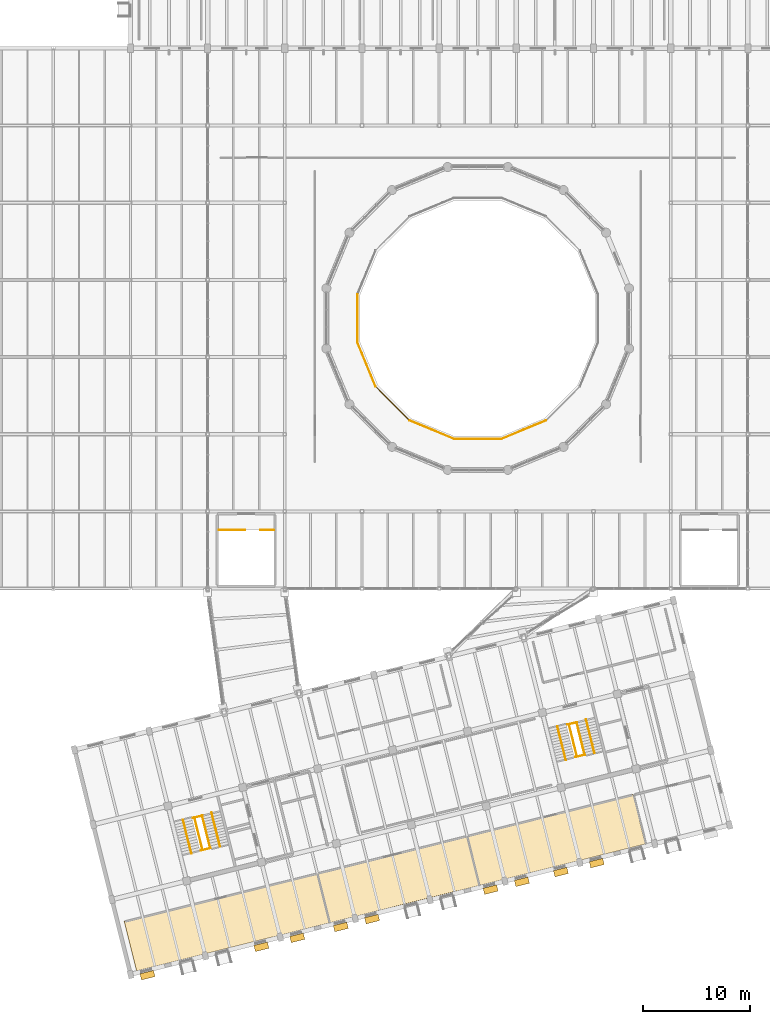
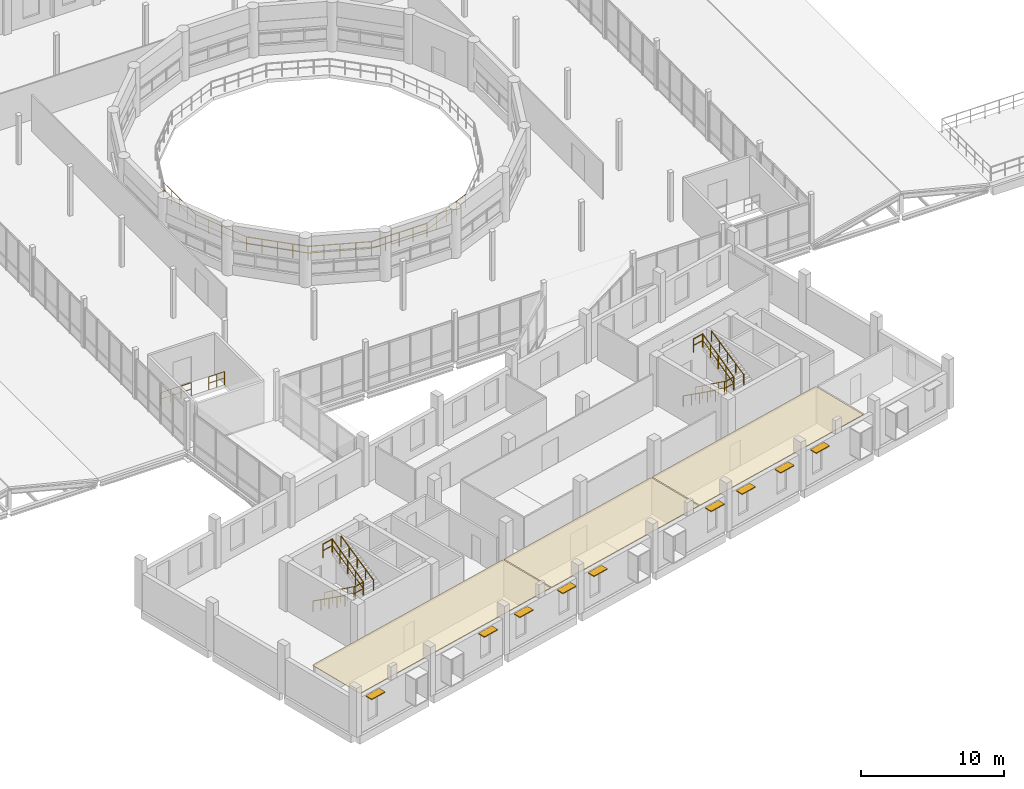
# One storey, part 59 of 63: 20 railings, 9 shading devices, 3 coverings.
"""IFC4 building model written with IfcOpenShell, lengths in metres."""

from ifc_helpers import new_model, si_unit, direction, frame, origin, origin_2d, place, context, subcontext, project, spatial, polyline, rectangle, circle, outline, extrude, material, layer, layer_set, material_profile, profile_set, type_object, element, save


model = new_model("IFC4")

# Units and contexts
model_context = context("Model", 3, precision=1e-05, world=origin(), true_north=direction((0.0, 1.0)))
body_context = subcontext(model_context, "Body", "Model", "MODEL_VIEW")
ifc_project = project(units=[si_unit("LENGTHUNIT", "METRE"), si_unit("AREAUNIT", "SQUARE_METRE"), si_unit("VOLUMEUNIT", "CUBIC_METRE"), si_unit("PLANEANGLEUNIT", "RADIAN"), si_unit("MASSUNIT", "GRAM", prefix="KILO")], contexts=[model_context])

# Site, building, storey
site_placement = place(None, origin())
site = spatial("IfcSite", under=ifc_project, at=site_placement, CompositionType="ELEMENT")
building_placement = place(site_placement, origin())
building = spatial("IfcBuilding", under=site, at=building_placement, Name="Qiaolan Assembly House", CompositionType="ELEMENT")
storey_placement = place(building_placement, frame((0.0, 0.0, 14.39990234375)))
storey = spatial("IfcBuildingStorey", under=building, at=storey_placement, Name="L03", CompositionType="ELEMENT", Elevation=14.39990234375)

# Coverings
ifc_material_1 = material(Name="Gypsum plasterboard acoustic ceiling")
ifc_layer = layer(ifc_material_1, 0.044921875)
ifc_layer_set = layer_set([ifc_layer], Name="Gypsum plasterboard acoustic ceiling")
covering_type = type_object("IfcCoveringType", Name="COV-CEIL-ACOUSTIC", PredefinedType="CEILING", material=ifc_layer_set)
covering_1_placement = place(storey_placement, frame((0.0, 0.0, 3.03515625)))
element("IfcCovering", 1, at=covering_1_placement, inside=storey, type_object=covering_type, Name="Suspended ceiling Social Welfare & Public Housing Department", PredefinedType="CEILING", context=body_context, shape_type="SweptSolid", body=[
    extrude(outline(polyline([(36.577392578125, 0.32958984375), (54.54736328125, 4.809814453125), (53.390869140625, 9.447998046875), (35.421142578125, 4.967529296875), (36.577392578125, 0.32958984375)])), origin(), (0.0, 0.0, 1.0), 0.044921875),
])
covering_2_placement = place(storey_placement, frame((0.0, 0.0, 3.03515625)))
element("IfcCovering", 2, at=covering_2_placement, inside=storey, type_object=covering_type, Name="Suspended ceiling Public Health Emergency Coordination Room", PredefinedType="CEILING", context=body_context, shape_type="SweptSolid", body=[
    extrude(outline(polyline([(54.625, 4.829345703125), (68.51953125, 8.29345703125), (67.36328125, 12.931640625), (53.468505859375, 9.46728515625), (54.625, 4.829345703125)])), origin(), (0.0, 0.0, 1.0), 0.044921875),
])
covering_3_placement = place(storey_placement, frame((0.0, 0.0, 3.03515625)))
element("IfcCovering", 3, at=covering_3_placement, inside=storey, type_object=covering_type, Name="Suspended ceiling Municipal Education & Youth Bureau", PredefinedType="CEILING", context=body_context, shape_type="SweptSolid", body=[
    extrude(outline(polyline([(68.59716796875, 8.31298828125), (84.044189453125, 12.164306640625), (82.887939453125, 16.80224609375), (67.44091796875, 12.950927734375), (68.59716796875, 8.31298828125)])), origin(), (0.0, 0.0, 1.0), 0.044921875),
])

# Railings
ifc_material_2 = material(Name="Anodised bronze aluminium", Category="aluminium")
railing_type_1 = type_object("IfcRailingType", Name="RAL-GUARD-GALLERY-1200", PredefinedType="BALUSTRADE", material=ifc_material_2)
railing_1_placement = place(storey_placement, frame((57.169921875, 63.433837890625, 0.0)))
element("IfcRailing", 4, at=railing_1_placement, inside=storey, type_object=railing_type_1, Name="GR-02 Council Chamber L03 Clerestory Ring Guard seg 8", PredefinedType="BALUSTRADE", context=body_context, shape_type="SweptSolid", body=[
    extrude(circle(Radius=0.02392578125, at=origin_2d()), frame((0.0, 0.0, 1.17578125), z_axis=(0.0, -1.0, 0.0), x_axis=(1.0, 0.0, 0.0)), (0.0, 0.0, 1.0), 4.467529296875),
    extrude(circle(Radius=0.01611328125, at=origin_2d()), frame((0.0, 0.0, 0.60009765625), z_axis=(0.0, -1.0, 0.0), x_axis=(1.0, 0.0, 0.0)), (0.0, 0.0, 1.0), 4.467529296875),
    extrude(circle(Radius=0.02099609375, at=origin_2d()), origin(), (0.0, 0.0, 1.0), 1.15185546875),
    extrude(circle(Radius=0.02099609375, at=origin_2d()), frame((0.0, -1.116943359375, 0.0)), (0.0, 0.0, 1.0), 1.15185546875),
    extrude(circle(Radius=0.02099609375, at=origin_2d()), frame((0.0, -2.23388671875, 0.0)), (0.0, 0.0, 1.0), 1.15185546875),
    extrude(circle(Radius=0.02099609375, at=origin_2d()), frame((0.0, -3.3505859375, 0.0)), (0.0, 0.0, 1.0), 1.15185546875),
    extrude(circle(Radius=0.02099609375, at=origin_2d()), frame((0.0, -4.467529296875, 0.0)), (0.0, 0.0, 1.0), 1.15185546875),
])
railing_2_placement = place(storey_placement, frame((57.169921875, 58.96630859375, 0.0)))
element("IfcRailing", 5, at=railing_2_placement, inside=storey, type_object=railing_type_1, Name="GR-02 Council Chamber L03 Clerestory Ring Guard seg 9", PredefinedType="BALUSTRADE", context=body_context, shape_type="SweptSolid", body=[
    extrude(circle(Radius=0.02392578125, at=origin_2d()), frame((0.0, 0.0, 1.17578125), z_axis=(0.38267836238, -0.923881632552, 0.0), x_axis=(0.923881632552, 0.38267836238, 0.0)), (0.0, 0.0, 1.0), 4.4677734375),
    extrude(circle(Radius=0.01611328125, at=origin_2d()), frame((0.0, 0.0, 0.60009765625), z_axis=(0.38267836238, -0.923881632552, 0.0), x_axis=(0.923881632552, 0.38267836238, 0.0)), (0.0, 0.0, 1.0), 4.4677734375),
    extrude(circle(Radius=0.02099609375, at=origin_2d()), origin(), (0.0, 0.0, 1.0), 1.15185546875),
    extrude(circle(Radius=0.02099609375, at=origin_2d()), frame((0.427490234375, -1.031982421875, 0.0)), (0.0, 0.0, 1.0), 1.15185546875),
    extrude(circle(Radius=0.02099609375, at=origin_2d()), frame((0.85498046875, -2.06396484375, 0.0)), (0.0, 0.0, 1.0), 1.15185546875),
    extrude(circle(Radius=0.02099609375, at=origin_2d()), frame((1.2822265625, -3.095703125, 0.0)), (0.0, 0.0, 1.0), 1.15185546875),
    extrude(circle(Radius=0.02099609375, at=origin_2d()), frame((1.709716796875, -4.127685546875, 0.0)), (0.0, 0.0, 1.0), 1.15185546875),
])
railing_3_placement = place(storey_placement, frame((58.879638671875, 54.838623046875, 0.0)))
element("IfcRailing", 6, at=railing_3_placement, inside=storey, type_object=railing_type_1, Name="GR-02 Council Chamber L03 Clerestory Ring Guard seg 10", PredefinedType="BALUSTRADE", context=body_context, shape_type="SweptSolid", body=[
    extrude(circle(Radius=0.02392578125, at=origin_2d()), frame((0.0, 0.0, 1.17578125), z_axis=(0.707134104233, -0.707079457084, 0.0), x_axis=(0.707079457084, 0.707134104233, 0.0)), (0.0, 0.0, 1.0), 4.467529296875),
    extrude(circle(Radius=0.01611328125, at=origin_2d()), frame((0.0, 0.0, 0.60009765625), z_axis=(0.707134104233, -0.707079457084, 0.0), x_axis=(0.707079457084, 0.707134104233, 0.0)), (0.0, 0.0, 1.0), 4.467529296875),
    extrude(circle(Radius=0.02099609375, at=origin_2d()), origin(), (0.0, 0.0, 1.0), 1.15185546875),
    extrude(circle(Radius=0.02099609375, at=origin_2d()), frame((0.789794921875, -0.789794921875, 0.0)), (0.0, 0.0, 1.0), 1.15185546875),
    extrude(circle(Radius=0.02099609375, at=origin_2d()), frame((1.57958984375, -1.57958984375, 0.0)), (0.0, 0.0, 1.0), 1.15185546875),
    extrude(circle(Radius=0.02099609375, at=origin_2d()), frame((2.369384765625, -2.369140625, 0.0)), (0.0, 0.0, 1.0), 1.15185546875),
    extrude(circle(Radius=0.02099609375, at=origin_2d()), frame((3.1591796875, -3.158935546875, 0.0)), (0.0, 0.0, 1.0), 1.15185546875),
])
railing_4_placement = place(storey_placement, frame((62.038818359375, 51.6796875, 0.0)))
element("IfcRailing", 7, at=railing_4_placement, inside=storey, type_object=railing_type_1, Name="GR-02 Council Chamber L03 Clerestory Ring Guard seg 11", PredefinedType="BALUSTRADE", context=body_context, shape_type="SweptSolid", body=[
    extrude(circle(Radius=0.02392578125, at=origin_2d()), frame((0.0, 0.0, 1.17578125), z_axis=(0.923873629595, -0.382697682956, 0.0), x_axis=(0.382697682956, 0.923873629595, 0.0)), (0.0, 0.0, 1.0), 4.467529296875),
    extrude(circle(Radius=0.01611328125, at=origin_2d()), frame((0.0, 0.0, 0.60009765625), z_axis=(0.923873629595, -0.382697682956, 0.0), x_axis=(0.382697682956, 0.923873629595, 0.0)), (0.0, 0.0, 1.0), 4.467529296875),
    extrude(circle(Radius=0.02099609375, at=origin_2d()), origin(), (0.0, 0.0, 1.0), 1.15185546875),
    extrude(circle(Radius=0.02099609375, at=origin_2d()), frame((1.03173828125, -0.427490234375, 0.0)), (0.0, 0.0, 1.0), 1.15185546875),
    extrude(circle(Radius=0.02099609375, at=origin_2d()), frame((2.063720703125, -0.85498046875, 0.0)), (0.0, 0.0, 1.0), 1.15185546875),
    extrude(circle(Radius=0.02099609375, at=origin_2d()), frame((3.095703125, -1.2822265625, 0.0)), (0.0, 0.0, 1.0), 1.15185546875),
    extrude(circle(Radius=0.02099609375, at=origin_2d()), frame((4.12744140625, -1.709716796875, 0.0)), (0.0, 0.0, 1.0), 1.15185546875),
])
railing_5_placement = place(storey_placement, frame((66.166259765625, 49.969970703125, 0.0)))
element("IfcRailing", 8, at=railing_5_placement, inside=storey, type_object=railing_type_1, Name="GR-02 Council Chamber L03 Clerestory Ring Guard seg 12", PredefinedType="BALUSTRADE", context=body_context, shape_type="SweptSolid", body=[
    extrude(circle(Radius=0.02392578125, at=origin_2d()), frame((0.0, 0.0, 1.17578125), z_axis=(1.0, 0.0, 0.0), x_axis=(0.0, 1.0, 0.0)), (0.0, 0.0, 1.0), 4.467529296875),
    extrude(circle(Radius=0.01611328125, at=origin_2d()), frame((0.0, 0.0, 0.60009765625), z_axis=(1.0, 0.0, 0.0), x_axis=(0.0, 1.0, 0.0)), (0.0, 0.0, 1.0), 4.467529296875),
    extrude(circle(Radius=0.02099609375, at=origin_2d()), origin(), (0.0, 0.0, 1.0), 1.15185546875),
    extrude(circle(Radius=0.02099609375, at=origin_2d()), frame((1.116943359375, 0.0, 0.0)), (0.0, 0.0, 1.0), 1.15185546875),
    extrude(circle(Radius=0.02099609375, at=origin_2d()), frame((2.23388671875, 0.0, 0.0)), (0.0, 0.0, 1.0), 1.15185546875),
    extrude(circle(Radius=0.02099609375, at=origin_2d()), frame((3.3505859375, 0.0, 0.0)), (0.0, 0.0, 1.0), 1.15185546875),
    extrude(circle(Radius=0.02099609375, at=origin_2d()), frame((4.467529296875, 0.0, 0.0)), (0.0, 0.0, 1.0), 1.15185546875),
])
railing_6_placement = place(storey_placement, frame((70.6337890625, 49.969970703125, 0.0)))
element("IfcRailing", 9, at=railing_6_placement, inside=storey, type_object=railing_type_1, Name="GR-02 Council Chamber L03 Clerestory Ring Guard seg 13", PredefinedType="BALUSTRADE", context=body_context, shape_type="SweptSolid", body=[
    extrude(circle(Radius=0.02392578125, at=origin_2d()), frame((0.0, 0.0, 1.17578125), z_axis=(0.923873629595, 0.382697682956, 0.0), x_axis=(-0.382697682956, 0.923873629595, 0.0)), (0.0, 0.0, 1.0), 4.467529296875),
    extrude(circle(Radius=0.01611328125, at=origin_2d()), frame((0.0, 0.0, 0.60009765625), z_axis=(0.923873629595, 0.382697682956, 0.0), x_axis=(-0.382697682956, 0.923873629595, 0.0)), (0.0, 0.0, 1.0), 4.467529296875),
    extrude(circle(Radius=0.02099609375, at=origin_2d()), origin(), (0.0, 0.0, 1.0), 1.15185546875),
    extrude(circle(Radius=0.02099609375, at=origin_2d()), frame((1.03173828125, 0.427490234375, 0.0)), (0.0, 0.0, 1.0), 1.15185546875),
    extrude(circle(Radius=0.02099609375, at=origin_2d()), frame((2.063720703125, 0.85498046875, 0.0)), (0.0, 0.0, 1.0), 1.15185546875),
    extrude(circle(Radius=0.02099609375, at=origin_2d()), frame((3.095703125, 1.2822265625, 0.0)), (0.0, 0.0, 1.0), 1.15185546875),
    extrude(circle(Radius=0.02099609375, at=origin_2d()), frame((4.12744140625, 1.709716796875, 0.0)), (0.0, 0.0, 1.0), 1.15185546875),
])
railing_type_2 = type_object("IfcRailingType", Name="RAL-GUARD-STAIRWELL-1150", PredefinedType="GUARDRAIL", material=ifc_material_2)
railing_7_placement = place(storey_placement, frame((41.97802734375, 14.630859375, 0.0)))
element("IfcRailing", 10, at=railing_7_placement, inside=storey, type_object=railing_type_2, Name="GR-01 stair inner-well guard FLT-CORE-C-L03-1", PredefinedType="GUARDRAIL", context=body_context, shape_type="SweptSolid", body=[
    extrude(circle(Radius=0.02392578125, at=origin_2d()), frame((0.0, 0.0, 1.1259765625), z_axis=(0.200713697386, -0.804932033501, 0.558389141304), x_axis=(0.970289613784, 0.241946410147, 0.0)), (0.0, 0.0, 1.0), 3.760986328125),
    extrude(circle(Radius=0.01611328125, at=origin_2d()), frame((0.0, 0.0, 0.574951171875), z_axis=(0.200713697386, -0.804932033501, 0.558389141304), x_axis=(0.970289613784, 0.241946410147, 0.0)), (0.0, 0.0, 1.0), 3.760986328125),
    extrude(circle(Radius=0.02099609375, at=origin_2d()), origin(), (0.0, 0.0, 1.0), 1.101806640625),
    extrude(circle(Radius=0.02099609375, at=origin_2d()), frame((0.188720703125, -0.7568359375, 0.52490234375)), (0.0, 0.0, 1.0), 1.101806640625),
    extrude(circle(Radius=0.02099609375, at=origin_2d()), frame((0.37744140625, -1.513671875, 1.050048828125)), (0.0, 0.0, 1.0), 1.101806640625),
    extrude(circle(Radius=0.02099609375, at=origin_2d()), frame((0.566162109375, -2.2705078125, 1.5751953125)), (0.0, 0.0, 1.0), 1.101806640625),
    extrude(circle(Radius=0.02099609375, at=origin_2d()), frame((0.7548828125, -3.02734375, 2.10009765625)), (0.0, 0.0, 1.0), 1.101806640625),
])
railing_8_placement = place(storey_placement, frame((43.450927734375, 11.782470703125, 2.10009765625)))
element("IfcRailing", 11, at=railing_8_placement, inside=storey, type_object=railing_type_2, Name="GR-01 stair inner-well guard FLT-CORE-C-L03-2", PredefinedType="GUARDRAIL", context=body_context, shape_type="SweptSolid", body=[
    extrude(circle(Radius=0.02392578125, at=origin_2d()), frame((0.0, 0.0, 1.1259765625), z_axis=(-0.200713697386, 0.804932033501, 0.558389141304), x_axis=(-0.970289613784, -0.241946410147, 0.0)), (0.0, 0.0, 1.0), 3.760986328125),
    extrude(circle(Radius=0.01611328125, at=origin_2d()), frame((0.0, 0.0, 0.574951171875), z_axis=(-0.200713697386, 0.804932033501, 0.558389141304), x_axis=(-0.970289613784, -0.241946410147, 0.0)), (0.0, 0.0, 1.0), 3.760986328125),
    extrude(circle(Radius=0.02099609375, at=origin_2d()), origin(), (0.0, 0.0, 1.0), 1.101806640625),
    extrude(circle(Radius=0.02099609375, at=origin_2d()), frame((-0.188720703125, 0.7568359375, 0.52490234375)), (0.0, 0.0, 1.0), 1.101806640625),
    extrude(circle(Radius=0.02099609375, at=origin_2d()), frame((-0.37744140625, 1.513671875, 1.050048828125)), (0.0, 0.0, 1.0), 1.101806640625),
    extrude(circle(Radius=0.02099609375, at=origin_2d()), frame((-0.566162109375, 2.2705078125, 1.5751953125)), (0.0, 0.0, 1.0), 1.101806640625),
    extrude(circle(Radius=0.02099609375, at=origin_2d()), frame((-0.7548828125, 3.02734375, 2.10009765625)), (0.0, 0.0, 1.0), 1.101806640625),
])
railing_9_placement = place(storey_placement, frame((42.57763671875, 11.564697265625, 2.10009765625)))
element("IfcRailing", 12, at=railing_9_placement, inside=storey, type_object=railing_type_2, Name="GR-01 stairwell landing guard CORE-C L03-1", PredefinedType="GUARDRAIL", context=body_context, shape_type="SweptSolid", body=[
    extrude(circle(Radius=0.02392578125, at=origin_2d()), frame((0.0, 0.0, 1.1259765625), z_axis=(0.97026726112, 0.242036034503, 0.0), x_axis=(-0.242036034503, 0.97026726112, 0.0)), (0.0, 0.0, 1.0), 0.919921875),
    extrude(circle(Radius=0.01611328125, at=origin_2d()), frame((0.0, 0.0, 0.574951171875), z_axis=(0.97026726112, 0.242036034503, 0.0), x_axis=(-0.242036034503, 0.97026726112, 0.0)), (0.0, 0.0, 1.0), 0.919921875),
    extrude(circle(Radius=0.02099609375, at=origin_2d()), origin(), (0.0, 0.0, 1.0), 1.101806640625),
    extrude(circle(Radius=0.02099609375, at=origin_2d()), frame((0.892578125, 0.22265625, 0.0)), (0.0, 0.0, 1.0), 1.101806640625),
])
railing_10_placement = place(storey_placement, frame((41.82275390625, 14.592041015625, 4.2001953125)))
element("IfcRailing", 13, at=railing_10_placement, inside=storey, type_object=railing_type_2, Name="GR-01 stairwell landing guard CORE-C L03-2", PredefinedType="GUARDRAIL", context=body_context, shape_type="SweptSolid", body=[
    extrude(circle(Radius=0.02392578125, at=origin_2d()), frame((0.0, 0.0, 1.1259765625), z_axis=(0.970282802069, 0.241973725865, 0.0), x_axis=(-0.241973725865, 0.970282802069, 0.0)), (0.0, 0.0, 1.0), 0.920166015625),
    extrude(circle(Radius=0.01611328125, at=origin_2d()), frame((0.0, 0.0, 0.574951171875), z_axis=(0.970282802069, 0.241973725865, 0.0), x_axis=(-0.241973725865, 0.970282802069, 0.0)), (0.0, 0.0, 1.0), 0.920166015625),
    extrude(circle(Radius=0.02099609375, at=origin_2d()), origin(), (0.0, 0.0, 1.0), 1.101806640625),
    extrude(circle(Radius=0.02099609375, at=origin_2d()), frame((0.892822265625, 0.22265625, 0.0)), (0.0, 0.0, 1.0), 1.101806640625),
])
railing_11_placement = place(storey_placement, frame((76.90869140625, 23.340087890625, 0.0)))
element("IfcRailing", 14, at=railing_11_placement, inside=storey, type_object=railing_type_2, Name="GR-01 stair inner-well guard FLT-CORE-D-L03-1", PredefinedType="GUARDRAIL", context=body_context, shape_type="SweptSolid", body=[
    extrude(circle(Radius=0.02392578125, at=origin_2d()), frame((0.0, 0.0, 1.1259765625), z_axis=(0.200713697386, -0.804932033501, 0.558389141304), x_axis=(0.970289613784, 0.241946410147, 0.0)), (0.0, 0.0, 1.0), 3.760986328125),
    extrude(circle(Radius=0.01611328125, at=origin_2d()), frame((0.0, 0.0, 0.574951171875), z_axis=(0.200713697386, -0.804932033501, 0.558389141304), x_axis=(0.970289613784, 0.241946410147, 0.0)), (0.0, 0.0, 1.0), 3.760986328125),
    extrude(circle(Radius=0.02099609375, at=origin_2d()), origin(), (0.0, 0.0, 1.0), 1.101806640625),
    extrude(circle(Radius=0.02099609375, at=origin_2d()), frame((0.188720703125, -0.7568359375, 0.52490234375)), (0.0, 0.0, 1.0), 1.101806640625),
    extrude(circle(Radius=0.02099609375, at=origin_2d()), frame((0.37744140625, -1.513671875, 1.050048828125)), (0.0, 0.0, 1.0), 1.101806640625),
    extrude(circle(Radius=0.02099609375, at=origin_2d()), frame((0.566162109375, -2.2705078125, 1.5751953125)), (0.0, 0.0, 1.0), 1.101806640625),
    extrude(circle(Radius=0.02099609375, at=origin_2d()), frame((0.7548828125, -3.02734375, 2.10009765625)), (0.0, 0.0, 1.0), 1.101806640625),
])
railing_12_placement = place(storey_placement, frame((78.381591796875, 20.49169921875, 2.10009765625)))
element("IfcRailing", 15, at=railing_12_placement, inside=storey, type_object=railing_type_2, Name="GR-01 stair inner-well guard FLT-CORE-D-L03-2", PredefinedType="GUARDRAIL", context=body_context, shape_type="SweptSolid", body=[
    extrude(circle(Radius=0.02392578125, at=origin_2d()), frame((0.0, 0.0, 1.1259765625), z_axis=(-0.200713697386, 0.804932033501, 0.558389141304), x_axis=(-0.970289613784, -0.241946410147, 0.0)), (0.0, 0.0, 1.0), 3.760986328125),
    extrude(circle(Radius=0.01611328125, at=origin_2d()), frame((0.0, 0.0, 0.574951171875), z_axis=(-0.200713697386, 0.804932033501, 0.558389141304), x_axis=(-0.970289613784, -0.241946410147, 0.0)), (0.0, 0.0, 1.0), 3.760986328125),
    extrude(circle(Radius=0.02099609375, at=origin_2d()), origin(), (0.0, 0.0, 1.0), 1.101806640625),
    extrude(circle(Radius=0.02099609375, at=origin_2d()), frame((-0.188720703125, 0.7568359375, 0.52490234375)), (0.0, 0.0, 1.0), 1.101806640625),
    extrude(circle(Radius=0.02099609375, at=origin_2d()), frame((-0.37744140625, 1.513671875, 1.050048828125)), (0.0, 0.0, 1.0), 1.101806640625),
    extrude(circle(Radius=0.02099609375, at=origin_2d()), frame((-0.566162109375, 2.2705078125, 1.5751953125)), (0.0, 0.0, 1.0), 1.101806640625),
    extrude(circle(Radius=0.02099609375, at=origin_2d()), frame((-0.7548828125, 3.02734375, 2.10009765625)), (0.0, 0.0, 1.0), 1.101806640625),
])
railing_13_placement = place(storey_placement, frame((77.50830078125, 20.27392578125, 2.10009765625)))
element("IfcRailing", 16, at=railing_13_placement, inside=storey, type_object=railing_type_2, Name="GR-01 stairwell landing guard CORE-D L03-1", PredefinedType="GUARDRAIL", context=body_context, shape_type="SweptSolid", body=[
    extrude(circle(Radius=0.02392578125, at=origin_2d()), frame((0.0, 0.0, 1.1259765625), z_axis=(0.97026726112, 0.242036034503, 0.0), x_axis=(-0.242036034503, 0.97026726112, 0.0)), (0.0, 0.0, 1.0), 0.919921875),
    extrude(circle(Radius=0.01611328125, at=origin_2d()), frame((0.0, 0.0, 0.574951171875), z_axis=(0.97026726112, 0.242036034503, 0.0), x_axis=(-0.242036034503, 0.97026726112, 0.0)), (0.0, 0.0, 1.0), 0.919921875),
    extrude(circle(Radius=0.02099609375, at=origin_2d()), origin(), (0.0, 0.0, 1.0), 1.101806640625),
    extrude(circle(Radius=0.02099609375, at=origin_2d()), frame((0.892578125, 0.22265625, 0.0)), (0.0, 0.0, 1.0), 1.101806640625),
])
railing_14_placement = place(storey_placement, frame((76.75341796875, 23.30126953125, 4.2001953125)))
element("IfcRailing", 17, at=railing_14_placement, inside=storey, type_object=railing_type_2, Name="GR-01 stairwell landing guard CORE-D L03-2", PredefinedType="GUARDRAIL", context=body_context, shape_type="SweptSolid", body=[
    extrude(circle(Radius=0.02392578125, at=origin_2d()), frame((0.0, 0.0, 1.1259765625), z_axis=(0.970282802069, 0.241973725865, 0.0), x_axis=(-0.241973725865, 0.970282802069, 0.0)), (0.0, 0.0, 1.0), 0.920166015625),
    extrude(circle(Radius=0.01611328125, at=origin_2d()), frame((0.0, 0.0, 0.574951171875), z_axis=(0.970282802069, 0.241973725865, 0.0), x_axis=(-0.241973725865, 0.970282802069, 0.0)), (0.0, 0.0, 1.0), 0.920166015625),
    extrude(circle(Radius=0.02099609375, at=origin_2d()), origin(), (0.0, 0.0, 1.0), 1.101806640625),
    extrude(circle(Radius=0.02099609375, at=origin_2d()), frame((0.892822265625, 0.22265625, 0.0)), (0.0, 0.0, 1.0), 1.101806640625),
])
railing_15_placement = place(storey_placement, frame((44.239990234375, 41.449951171875, 0.0)))
element("IfcRailing", 18, at=railing_15_placement, inside=storey, type_object=railing_type_2, Name="GR-01 foyer L03 well guard ST-F21", PredefinedType="GUARDRAIL", context=body_context, shape_type="SweptSolid", body=[
    extrude(circle(Radius=0.02392578125, at=origin_2d()), frame((0.0, 0.0, 1.1259765625), z_axis=(1.0, 0.0, 0.0), x_axis=(0.0, 1.0, 0.0)), (0.0, 0.0, 1.0), 2.43994140625),
    extrude(circle(Radius=0.01611328125, at=origin_2d()), frame((0.0, 0.0, 0.574951171875), z_axis=(1.0, 0.0, 0.0), x_axis=(0.0, 1.0, 0.0)), (0.0, 0.0, 1.0), 2.43994140625),
    extrude(circle(Radius=0.02099609375, at=origin_2d()), origin(), (0.0, 0.0, 1.0), 1.101806640625),
    extrude(circle(Radius=0.02099609375, at=origin_2d()), frame((0.813232421875, 0.0, 0.0)), (0.0, 0.0, 1.0), 1.101806640625),
    extrude(circle(Radius=0.02099609375, at=origin_2d()), frame((1.626708984375, 0.0, 0.0)), (0.0, 0.0, 1.0), 1.101806640625),
    extrude(circle(Radius=0.02099609375, at=origin_2d()), frame((2.43994140625, 0.0, 0.0)), (0.0, 0.0, 1.0), 1.101806640625),
])
railing_16_placement = place(storey_placement, frame((48.1201171875, 41.449951171875, 0.0)))
element("IfcRailing", 19, at=railing_16_placement, inside=storey, type_object=railing_type_2, Name="GR-01 foyer L03 east top-well guard ST-F21", PredefinedType="GUARDRAIL", context=body_context, shape_type="SweptSolid", body=[
    extrude(circle(Radius=0.02392578125, at=origin_2d()), frame((0.0, 0.0, 1.1259765625), z_axis=(1.0, 0.0, 0.0), x_axis=(0.0, 1.0, 0.0)), (0.0, 0.0, 1.0), 1.259765625),
    extrude(circle(Radius=0.01611328125, at=origin_2d()), frame((0.0, 0.0, 0.574951171875), z_axis=(1.0, 0.0, 0.0), x_axis=(0.0, 1.0, 0.0)), (0.0, 0.0, 1.0), 1.259765625),
    extrude(circle(Radius=0.02099609375, at=origin_2d()), origin(), (0.0, 0.0, 1.0), 1.101806640625),
    extrude(circle(Radius=0.02099609375, at=origin_2d()), frame((0.6298828125, 0.0, 0.0)), (0.0, 0.0, 1.0), 1.101806640625),
    extrude(circle(Radius=0.02099609375, at=origin_2d()), frame((1.259765625, 0.0, 0.0)), (0.0, 0.0, 1.0), 1.101806640625),
])
railing_type_3 = type_object("IfcRailingType", Name="RAL-HANDRAIL-STAIR-920", PredefinedType="HANDRAIL", material=ifc_material_2)
railing_17_placement = place(storey_placement, frame((40.906005859375, 14.42529296875, 0.0)))
element("IfcRailing", 20, at=railing_17_placement, inside=storey, type_object=railing_type_3, Name="HR-01 stair handrail FLT-CORE-C-L03-1", PredefinedType="HANDRAIL", context=body_context, shape_type="SweptSolid", body=[
    extrude(circle(Radius=0.02392578125, at=origin_2d()), frame((0.0, 0.0, 0.89599609375), z_axis=(0.202971290851, -0.814224707877, 0.543912474735), x_axis=(0.970306279523, 0.241879564904, 0.0)), (0.0, 0.0, 1.0), 3.861083984375),
    extrude(circle(Radius=0.02099609375, at=origin_2d()), origin(), (0.0, 0.0, 1.0), 0.871826171875),
    extrude(circle(Radius=0.02099609375, at=origin_2d()), frame((0.19580078125, -0.785888671875, 0.52490234375)), (0.0, 0.0, 1.0), 0.871826171875),
    extrude(circle(Radius=0.02099609375, at=origin_2d()), frame((0.391845703125, -1.57177734375, 1.050048828125)), (0.0, 0.0, 1.0), 0.871826171875),
    extrude(circle(Radius=0.02099609375, at=origin_2d()), frame((0.587890625, -2.35791015625, 1.5751953125)), (0.0, 0.0, 1.0), 0.871826171875),
    extrude(circle(Radius=0.02099609375, at=origin_2d()), frame((0.78369140625, -3.143798828125, 2.10009765625)), (0.0, 0.0, 1.0), 0.871826171875),
])
railing_18_placement = place(storey_placement, frame((44.358154296875, 11.94677734375, 2.10009765625)))
element("IfcRailing", 21, at=railing_18_placement, inside=storey, type_object=railing_type_3, Name="HR-01 stair handrail FLT-CORE-C-L03-2", PredefinedType="HANDRAIL", context=body_context, shape_type="SweptSolid", body=[
    extrude(circle(Radius=0.02392578125, at=origin_2d()), frame((0.0, 0.0, 0.89599609375), z_axis=(-0.203031915669, 0.814214256639, 0.543905493175), x_axis=(-0.97028859237, -0.241950506337, 0.0)), (0.0, 0.0, 1.0), 3.861083984375),
    extrude(circle(Radius=0.02099609375, at=origin_2d()), origin(), (0.0, 0.0, 1.0), 0.871826171875),
    extrude(circle(Radius=0.02099609375, at=origin_2d()), frame((-0.196044921875, 0.785888671875, 0.52490234375)), (0.0, 0.0, 1.0), 0.871826171875),
    extrude(circle(Radius=0.02099609375, at=origin_2d()), frame((-0.39208984375, 1.57177734375, 1.050048828125)), (0.0, 0.0, 1.0), 0.871826171875),
    extrude(circle(Radius=0.02099609375, at=origin_2d()), frame((-0.587890625, 2.35791015625, 1.5751953125)), (0.0, 0.0, 1.0), 0.871826171875),
    extrude(circle(Radius=0.02099609375, at=origin_2d()), frame((-0.783935546875, 3.143798828125, 2.10009765625)), (0.0, 0.0, 1.0), 0.871826171875),
])
railing_19_placement = place(storey_placement, frame((75.836669921875, 23.134521484375, 0.0)))
element("IfcRailing", 22, at=railing_19_placement, inside=storey, type_object=railing_type_3, Name="HR-01 stair handrail FLT-CORE-D-L03-1", PredefinedType="HANDRAIL", context=body_context, shape_type="SweptSolid", body=[
    extrude(circle(Radius=0.02392578125, at=origin_2d()), frame((0.0, 0.0, 0.89599609375), z_axis=(0.202971290851, -0.814224707877, 0.543912474735), x_axis=(0.970306279523, 0.241879564904, 0.0)), (0.0, 0.0, 1.0), 3.861083984375),
    extrude(circle(Radius=0.02099609375, at=origin_2d()), origin(), (0.0, 0.0, 1.0), 0.871826171875),
    extrude(circle(Radius=0.02099609375, at=origin_2d()), frame((0.19580078125, -0.785888671875, 0.52490234375)), (0.0, 0.0, 1.0), 0.871826171875),
    extrude(circle(Radius=0.02099609375, at=origin_2d()), frame((0.391845703125, -1.57177734375, 1.050048828125)), (0.0, 0.0, 1.0), 0.871826171875),
    extrude(circle(Radius=0.02099609375, at=origin_2d()), frame((0.587890625, -2.35791015625, 1.5751953125)), (0.0, 0.0, 1.0), 0.871826171875),
    extrude(circle(Radius=0.02099609375, at=origin_2d()), frame((0.78369140625, -3.143798828125, 2.10009765625)), (0.0, 0.0, 1.0), 0.871826171875),
])
railing_20_placement = place(storey_placement, frame((79.288818359375, 20.656005859375, 2.10009765625)))
element("IfcRailing", 23, at=railing_20_placement, inside=storey, type_object=railing_type_3, Name="HR-01 stair handrail FLT-CORE-D-L03-2", PredefinedType="HANDRAIL", context=body_context, shape_type="SweptSolid", body=[
    extrude(circle(Radius=0.02392578125, at=origin_2d()), frame((0.0, 0.0, 0.89599609375), z_axis=(-0.203031915669, 0.814214256639, 0.543905493175), x_axis=(-0.97028859237, -0.241950506337, 0.0)), (0.0, 0.0, 1.0), 3.861083984375),
    extrude(circle(Radius=0.02099609375, at=origin_2d()), origin(), (0.0, 0.0, 1.0), 0.871826171875),
    extrude(circle(Radius=0.02099609375, at=origin_2d()), frame((-0.196044921875, 0.785888671875, 0.52490234375)), (0.0, 0.0, 1.0), 0.871826171875),
    extrude(circle(Radius=0.02099609375, at=origin_2d()), frame((-0.39208984375, 1.57177734375, 1.050048828125)), (0.0, 0.0, 1.0), 0.871826171875),
    extrude(circle(Radius=0.02099609375, at=origin_2d()), frame((-0.587890625, 2.35791015625, 1.5751953125)), (0.0, 0.0, 1.0), 0.871826171875),
    extrude(circle(Radius=0.02099609375, at=origin_2d()), frame((-0.783935546875, 3.143798828125, 2.10009765625)), (0.0, 0.0, 1.0), 0.871826171875),
])

# Shading devices
ifc_material_profile = material_profile(ifc_material_2, rectangle(XDim=0.60009765625, YDim=0.070068359375, at=origin_2d()), Name="SHD 600x70")
ifc_profile_set = profile_set([ifc_material_profile], Name="Anodised bronze aluminium")
shading_device_type = type_object("IfcShadingDeviceType", Name="SHD-SUNSHADE-AL-600", PredefinedType="AWNING", material=ifc_profile_set)
for number, where, z_axis, x_axis, name in (
    (24, (36.957763671875, -0.224853515625, 2.900146484375), (0.970307970296, 0.241872782222, 0.0), (-0.241872782222, 0.970307970296, 0.0), "SH-02 horizontal sunshade louvre L03-1"),
    (25, (47.58251953125, 2.424072265625, 2.900146484375), (0.970307970296, 0.241872782222, 0.0), (-0.241872782222, 0.970307970296, 0.0), "SH-02 horizontal sunshade louvre L03-2"),
):
    element("IfcShadingDevice", number, at=place(storey_placement, frame(where, z_axis=z_axis, x_axis=x_axis)), inside=storey, type_object=shading_device_type, Name=name, PredefinedType="AWNING", context=body_context, shape_type="SweptSolid", body=[
        extrude(rectangle(XDim=0.60009765625, YDim=0.070068359375, at=origin_2d()), origin(), (0.0, 0.0, 1.0), 1.300048828125),
    ])
shading_device_1_placement = place(storey_placement, frame((50.93017578125, 3.2587890625, 2.900146484375), z_axis=(0.970296981152, 0.24191686251, 0.0), x_axis=(-0.24191686251, 0.970296981152, 0.0)))
element("IfcShadingDevice", 26, at=shading_device_1_placement, inside=storey, type_object=shading_device_type, Name="SH-02 horizontal sunshade louvre L03-3", PredefinedType="AWNING", context=body_context, shape_type="SweptSolid", body=[
    extrude(rectangle(XDim=0.60009765625, YDim=0.070068359375, at=origin_2d()), origin(), (0.0, 0.0, 1.0), 1.2998046875),
])
for number, where, z_axis, x_axis, name in (
    (27, (54.99169921875, 4.271484375, 2.900146484375), (0.970307970296, 0.241872782222, 0.0), (-0.241872782222, 0.970307970296, 0.0), "SH-02 horizontal sunshade louvre L03-3"),
    (28, (57.916259765625, 5.00048828125, 2.900146484375), (0.970307970296, 0.241872782222, 0.0), (-0.241872782222, 0.970307970296, 0.0), "SH-02 horizontal sunshade louvre L03-4"),
):
    element("IfcShadingDevice", number, at=place(storey_placement, frame(where, z_axis=z_axis, x_axis=x_axis)), inside=storey, type_object=shading_device_type, Name=name, PredefinedType="AWNING", context=body_context, shape_type="SweptSolid", body=[
        extrude(rectangle(XDim=0.60009765625, YDim=0.070068359375, at=origin_2d()), origin(), (0.0, 0.0, 1.0), 1.300048828125),
    ])
shading_device_2_placement = place(storey_placement, frame((68.964111328125, 7.755126953125, 2.900146484375), z_axis=(0.970296981152, 0.24191686251, 0.0), x_axis=(-0.24191686251, 0.970296981152, 0.0)))
element("IfcShadingDevice", 29, at=shading_device_2_placement, inside=storey, type_object=shading_device_type, Name="SH-02 horizontal sunshade louvre L03-5", PredefinedType="AWNING", context=body_context, shape_type="SweptSolid", body=[
    extrude(rectangle(XDim=0.60009765625, YDim=0.070068359375, at=origin_2d()), origin(), (0.0, 0.0, 1.0), 1.2998046875),
])
for number, where, z_axis, x_axis, name in (
    (30, (71.888427734375, 8.484130859375, 2.900146484375), (0.970263883687, 0.242049573461, 0.0), (-0.242049573461, 0.970263883687, 0.0), "SH-02 horizontal sunshade louvre L03-6"),
    (31, (75.527099609375, 9.391357421875, 2.900146484375), (0.970263883687, 0.242049573461, 0.0), (-0.242049573461, 0.970263883687, 0.0), "SH-02 horizontal sunshade louvre L03-6"),
):
    element("IfcShadingDevice", number, at=place(storey_placement, frame(where, z_axis=z_axis, x_axis=x_axis)), inside=storey, type_object=shading_device_type, Name=name, PredefinedType="AWNING", context=body_context, shape_type="SweptSolid", body=[
        extrude(rectangle(XDim=0.60009765625, YDim=0.070068359375, at=origin_2d()), origin(), (0.0, 0.0, 1.0), 1.300048828125),
    ])
shading_device_3_placement = place(storey_placement, frame((78.874755859375, 10.22607421875, 2.900146484375), z_axis=(0.970296981152, 0.24191686251, 0.0), x_axis=(-0.24191686251, 0.970296981152, 0.0)))
element("IfcShadingDevice", 32, at=shading_device_3_placement, inside=storey, type_object=shading_device_type, Name="SH-02 horizontal sunshade louvre L03-7", PredefinedType="AWNING", context=body_context, shape_type="SweptSolid", body=[
    extrude(rectangle(XDim=0.60009765625, YDim=0.070068359375, at=origin_2d()), origin(), (0.0, 0.0, 1.0), 1.2998046875),
])

save(model, "model.ifc")
